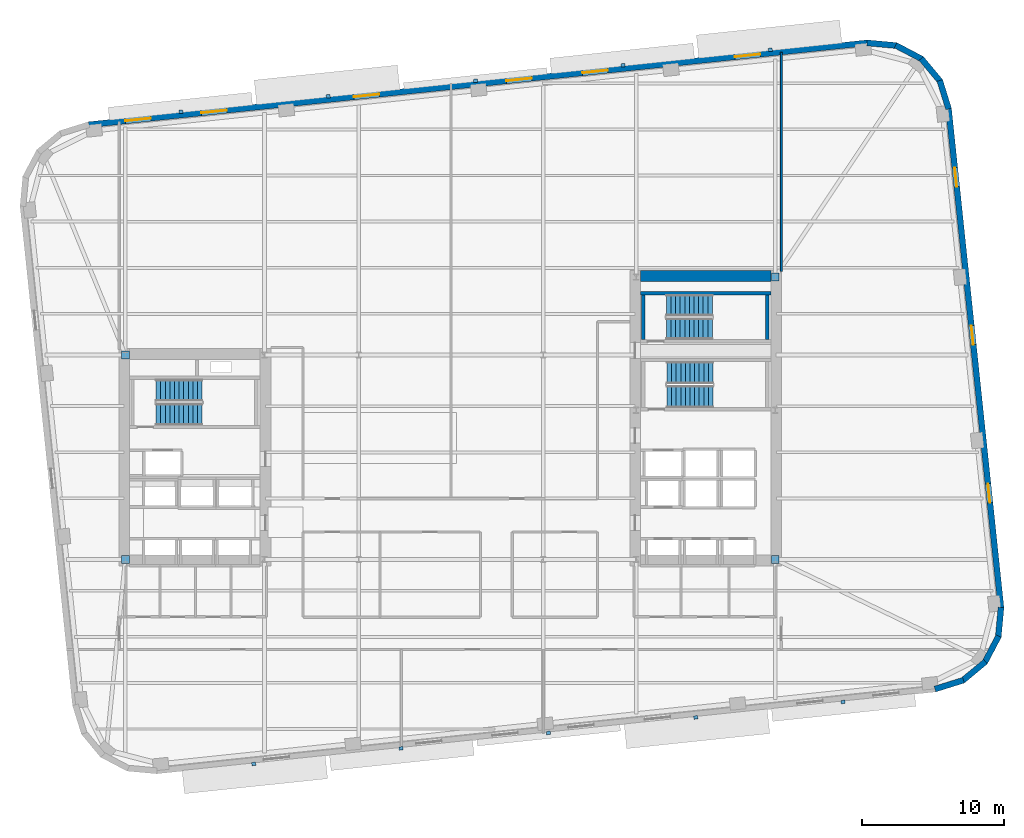
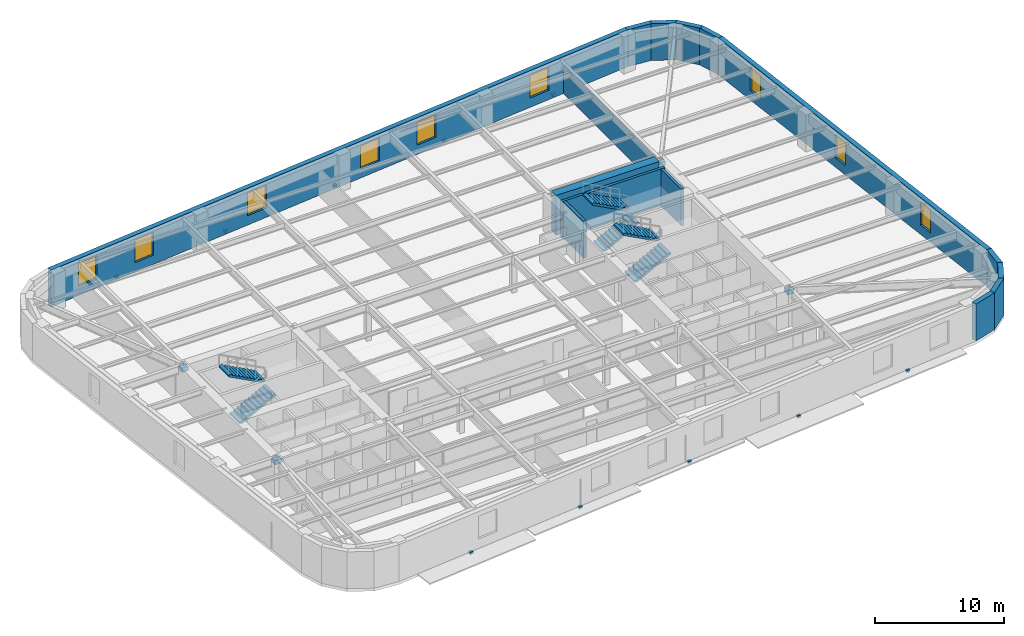
# One storey, part 7 of 12: 15 walls, 14 discrete accessories, 9 windows, 6 stair flights, 9 openings, 3 elements without a shape of their own.
"""IFC4 building model written with IfcOpenShell, lengths in metres."""

from ifc_helpers import new_model, si_unit, direction, frame, frame_2d, origin, origin_2d, place, context, subcontext, project, spatial, polyline, rectangle, outline, extrude, material, layer, layer_set, type_object, element, fill, aggregate, save


model = new_model("IFC4")

# Units and contexts
model_context = context("Model", 3, precision=1e-05, world=origin(), true_north=direction((0.0, 1.0)))
body_context = subcontext(model_context, "Body", "Model", "MODEL_VIEW")
ifc_project = project(units=[si_unit("LENGTHUNIT", "METRE"), si_unit("AREAUNIT", "SQUARE_METRE"), si_unit("VOLUMEUNIT", "CUBIC_METRE"), si_unit("PLANEANGLEUNIT", "RADIAN"), si_unit("MASSUNIT", "GRAM", prefix="KILO")], contexts=[model_context])

# Site, building, storey
site_placement = place(None, origin())
site = spatial("IfcSite", under=ifc_project, at=site_placement, CompositionType="ELEMENT")
building_placement = place(site_placement, origin())
building = spatial("IfcBuilding", under=site, at=building_placement, Name="Kolvaren Arena Tower", CompositionType="ELEMENT")
storey_placement = place(building_placement, frame((0.0, 0.0, 110.949951171875)))
storey = spatial("IfcBuildingStorey", under=building, at=storey_placement, Name="L25", CompositionType="ELEMENT", Elevation=110.949951171875)

# Walls
ifc_material_1 = material(Name="Concrete 70 MPa", Category="concrete")
ifc_layer_1 = layer(ifc_material_1, 0.75)
ifc_layer_set_1 = layer_set([ifc_layer_1], Name="Concrete 70 MPa")
wall_type_1 = type_object("IfcWallType", Name="CWALL-750", PredefinedType="SHEAR", material=ifc_layer_set_1)
wall_1_placement = place(storey_placement, frame((50.85009765625, 39.425048828125, -0.27001953125), z_axis=(0.0, 0.0, 1.0), x_axis=(1.0, 0.0, 0.0)))
element("IfcWall", 1, at=wall_1_placement, inside=storey, type_object=wall_type_1, Name="Core Shear Wall EC-NORTH (L25)", PredefinedType="SHEAR", context=body_context, shape_type="SweptSolid", body=[
    extrude(rectangle(XDim=9.199951171875, YDim=0.75, at=frame_2d((4.60009765625, 0.0))), origin(), (0.0, 0.0, 1.0), 3.75),
])
ifc_material_2 = material(Name="Precast concrete C50/60", Category="concrete")
ifc_layer_2 = layer(ifc_material_2, 0.419921875)
ifc_layer_set_2 = layer_set([ifc_layer_2], Name="Precast concrete C50/60")
wall_type_2 = type_object("IfcWallType", Name="EXT-PIER1", PredefinedType="SOLIDWALL", material=ifc_layer_set_2)
for number, where, z_axis, x_axis, name in (
    (2, (73.61328125, 10.93701171875, 0.0), (0.0, 0.0, 1.0), (-0.954993985335, -0.296625164093, 0.0), "Exterior Precast Masonry-Frame Wall (L25)"),
    (3, (75.1611328125, 12.2451171875, 0.0), (0.0, 0.0, 1.0), (-0.768800317178, -0.639488914921, 0.0), "Exterior Precast Masonry-Frame Wall (L25)"),
):
    element("IfcWall", number, at=place(storey_placement, frame(where, z_axis=z_axis, x_axis=x_axis)), inside=storey, type_object=wall_type_2, Name=name, PredefinedType="SOLIDWALL", context=body_context, shape_type="SweptSolid", body=[
        extrude(rectangle(XDim=2.10693359375, YDim=0.419921875, at=frame_2d((1.053466796875, 0.0))), origin(), (0.0, 0.0, 1.0), 3.47998046875),
    ])
wall_2_placement = place(storey_placement, frame((76.0908203125, 14.046142578125, 0.0), z_axis=(0.0, 0.0, 1.0), x_axis=(-0.465655699908, -0.884965970613, 0.0)))
element("IfcWall", 4, at=wall_2_placement, inside=storey, type_object=wall_type_2, Name="Exterior Precast Masonry-Frame Wall (L25)", PredefinedType="SOLIDWALL", context=body_context, shape_type="SweptSolid", body=[
    extrude(rectangle(XDim=2.107177734375, YDim=0.419921875, at=frame_2d((1.0537109375, 0.0))), origin(), (0.0, 0.0, 1.0), 3.47998046875),
])
wall_3_placement = place(storey_placement, frame((76.26025390625, 16.065673828125, 0.0), z_axis=(0.0, 0.0, 1.0), x_axis=(-0.091538655308, -0.995801523691, 0.0)))
element("IfcWall", 5, at=wall_3_placement, inside=storey, type_object=wall_type_2, Name="Exterior Precast Masonry-Frame Wall (L25)", PredefinedType="SOLIDWALL", context=body_context, shape_type="SweptSolid", body=[
    extrude(rectangle(XDim=2.10693359375, YDim=0.419921875, at=frame_2d((1.053466796875, 0.0))), origin(), (0.0, 0.0, 1.0), 3.47998046875),
])

# Wall, openings, windows
wall_4_placement = place(storey_placement, frame((72.560302734375, 51.23046875, 0.0), z_axis=(0.0, 0.0, 1.0), x_axis=(0.1045253859, -0.994522218808, 0.0)))
wall_4 = element("IfcWall", 6, at=wall_4_placement, inside=storey, type_object=wall_type_2, Name="Exterior Precast Masonry-Frame Wall (L25)", PredefinedType="SOLIDWALL", context=body_context, shape_type="SweptSolid", body=[
    extrude(rectangle(XDim=35.39990234375, YDim=0.419921875, at=frame_2d((17.699951171875, 0.0))), origin(), (0.0, 0.0, 1.0), 3.47998046875),
])
opening_1_placement = place(wall_4_placement, frame((4.199951171875, 0.0, 0.8798828125)))
opening_1 = element("IfcOpeningElement", 7, at=opening_1_placement, cuts=wall_4, Name="Opening W04", PredefinedType="OPENING", context=body_context, shape_type="SweptSolid", body=[
    extrude(rectangle(XDim=1.35009765625, YDim=2.199951171875, at=frame_2d((0.675048828125, 1.10009765625))), frame((0.0, 0.219970703125, 0.0), z_axis=(0.0, -1.0, 0.0), x_axis=(1.0, 0.0, 0.0)), (0.0, 0.0, 1.0), 0.43994140625),
])
opening_2_placement = place(wall_4_placement, frame((15.39990234375, 0.0, 0.8798828125)))
opening_2 = element("IfcOpeningElement", 8, at=opening_2_placement, cuts=wall_4, Name="Opening W04", PredefinedType="OPENING", context=body_context, shape_type="SweptSolid", body=[
    extrude(rectangle(XDim=1.35009765625, YDim=2.199951171875, at=frame_2d((0.675048828125, 1.10009765625))), frame((0.0, 0.219970703125, 0.0), z_axis=(0.0, -1.0, 0.0), x_axis=(1.0, 0.0, 0.0)), (0.0, 0.0, 1.0), 0.43994140625),
])
opening_3_placement = place(wall_4_placement, frame((26.60009765625, 0.0, 0.8798828125)))
opening_3 = element("IfcOpeningElement", 9, at=opening_3_placement, cuts=wall_4, Name="Opening W04", PredefinedType="OPENING", context=body_context, shape_type="SweptSolid", body=[
    extrude(rectangle(XDim=1.35009765625, YDim=2.199951171875, at=frame_2d((0.675048828125, 1.10009765625))), frame((0.0, 0.219970703125, 0.0), z_axis=(0.0, -1.0, 0.0), x_axis=(1.0, 0.0, 0.0)), (0.0, 0.0, 1.0), 0.43994140625),
])
ifc_material_3 = material(Name="Triple-glazed curved-facet corner window", Category="glass")
window_type_1 = type_object("IfcWindowType", Name="WIN-CRN-A", PartitioningType="SINGLE_PANEL", PredefinedType="WINDOW", material=ifc_material_3)
window_1_placement = place(opening_1_placement, origin())
window_1 = element("IfcWindow", 10, at=window_1_placement, inside=storey, type_object=window_type_1, Name="End-Wall Punched Window (L25)", OverallHeight=2.199951171875, OverallWidth=1.35009765625, PartitioningType="SINGLE_PANEL", PredefinedType="WINDOW", context=body_context, shape_type="SweptSolid", body=[
    extrude(rectangle(XDim=1.35009765625, YDim=2.199951171875, at=frame_2d((0.675048828125, 1.10009765625))), frame((0.0, 0.030029296875, 0.0), z_axis=(0.0, -1.0, 0.0), x_axis=(1.0, 0.0, 0.0)), (0.0, 0.0, 1.0), 0.06005859375),
])
fill(opening_1, window_1)
window_2_placement = place(opening_2_placement, origin())
window_2 = element("IfcWindow", 11, at=window_2_placement, inside=storey, type_object=window_type_1, Name="End-Wall Punched Window (L25)", OverallHeight=2.199951171875, OverallWidth=1.35009765625, PartitioningType="SINGLE_PANEL", PredefinedType="WINDOW", context=body_context, shape_type="SweptSolid", body=[
    extrude(rectangle(XDim=1.35009765625, YDim=2.199951171875, at=frame_2d((0.675048828125, 1.10009765625))), frame((0.0, 0.030029296875, 0.0), z_axis=(0.0, -1.0, 0.0), x_axis=(1.0, 0.0, 0.0)), (0.0, 0.0, 1.0), 0.06005859375),
])
fill(opening_2, window_2)
window_3_placement = place(opening_3_placement, origin())
window_3 = element("IfcWindow", 12, at=window_3_placement, inside=storey, type_object=window_type_1, Name="End-Wall Punched Window (L25)", OverallHeight=2.199951171875, OverallWidth=1.35009765625, PartitioningType="SINGLE_PANEL", PredefinedType="WINDOW", context=body_context, shape_type="SweptSolid", body=[
    extrude(rectangle(XDim=1.35009765625, YDim=2.199951171875, at=frame_2d((0.675048828125, 1.10009765625))), frame((0.0, 0.030029296875, 0.0), z_axis=(0.0, -1.0, 0.0), x_axis=(1.0, 0.0, 0.0)), (0.0, 0.0, 1.0), 0.06005859375),
])
fill(opening_3, window_3)

# Walls
for number, where, z_axis, x_axis, name in (
    (13, (71.943603515625, 53.202392578125, 0.0), (0.0, 0.0, 1.0), (0.296625164093, -0.954993985335, 0.0), "Exterior Precast Masonry-Frame Wall (L25)"),
    (14, (70.635498046875, 54.750244140625, 0.0), (0.0, 0.0, 1.0), (0.639488914921, -0.768800317178, 0.0), "Exterior Precast Masonry-Frame Wall (L25)"),
    (15, (68.83447265625, 55.6796875, 0.0), (0.0, 0.0, 1.0), (0.885013714693, -0.465564952296, 0.0), "Exterior Precast Masonry-Frame Wall (L25)"),
    (16, (66.81494140625, 55.849365234375, 0.0), (0.0, 0.0, 1.0), (0.995801523691, -0.091538655308, 0.0), "Exterior Precast Masonry-Frame Wall (L25)"),
):
    element("IfcWall", number, at=place(storey_placement, frame(where, z_axis=z_axis, x_axis=x_axis)), inside=storey, type_object=wall_type_2, Name=name, PredefinedType="SOLIDWALL", context=body_context, shape_type="SweptSolid", body=[
        extrude(rectangle(XDim=2.10693359375, YDim=0.419921875, at=frame_2d((1.053466796875, 0.0))), origin(), (0.0, 0.0, 1.0), 3.47998046875),
    ])

# Wall, openings, windows
wall_5_placement = place(storey_placement, frame((11.95849609375, 50.07958984375, 0.0), z_axis=(0.0, 0.0, 1.0), x_axis=(0.994521823388, 0.104529148113, 0.0)))
wall_5 = element("IfcWall", 17, at=wall_5_placement, inside=storey, type_object=wall_type_2, Name="Exterior Precast Masonry-Frame Wall (L25)", PredefinedType="SOLIDWALL", context=body_context, shape_type="SweptSolid", body=[
    extrude(rectangle(XDim=55.2001953125, YDim=0.419921875, at=frame_2d((27.60009765625, 0.0))), origin(), (0.0, 0.0, 1.0), 3.47998046875),
])
opening_4_placement = place(wall_5_placement, frame((2.60009765625, 0.0, 0.8798828125)))
opening_4 = element("IfcOpeningElement", 18, at=opening_4_placement, cuts=wall_5, Name="Opening W02", PredefinedType="OPENING", context=body_context, shape_type="SweptSolid", body=[
    extrude(rectangle(XDim=1.800048828125, YDim=2.14990234375, at=frame_2d((0.89990234375, 1.074951171875))), frame((0.0, 0.219970703125, 0.0), z_axis=(0.0, -1.0, 0.0), x_axis=(1.0, 0.0, 0.0)), (0.0, 0.0, 1.0), 0.43994140625),
])
opening_5_placement = place(wall_5_placement, frame((8.0, 0.0, 0.8798828125)))
opening_5 = element("IfcOpeningElement", 19, at=opening_5_placement, cuts=wall_5, Name="Opening W02", PredefinedType="OPENING", context=body_context, shape_type="SweptSolid", body=[
    extrude(rectangle(XDim=1.800048828125, YDim=2.14990234375, at=frame_2d((0.89990234375, 1.074951171875))), frame((0.0, 0.219970703125, 0.0), z_axis=(0.0, -1.0, 0.0), x_axis=(1.0, 0.0, 0.0)), (0.0, 0.0, 1.0), 0.43994140625),
])
opening_6_placement = place(wall_5_placement, frame((18.800048828125, 0.0, 0.8798828125)))
opening_6 = element("IfcOpeningElement", 20, at=opening_6_placement, cuts=wall_5, Name="Opening W02", PredefinedType="OPENING", context=body_context, shape_type="SweptSolid", body=[
    extrude(rectangle(XDim=1.800048828125, YDim=2.14990234375, at=frame_2d((0.89990234375, 1.074951171875))), frame((0.0, 0.219970703125, 0.0), z_axis=(0.0, -1.0, 0.0), x_axis=(1.0, 0.0, 0.0)), (0.0, 0.0, 1.0), 0.43994140625),
])
opening_7_placement = place(wall_5_placement, frame((29.60009765625, 0.0, 0.8798828125)))
opening_7 = element("IfcOpeningElement", 21, at=opening_7_placement, cuts=wall_5, Name="Opening W02", PredefinedType="OPENING", context=body_context, shape_type="SweptSolid", body=[
    extrude(rectangle(XDim=1.800048828125, YDim=2.14990234375, at=frame_2d((0.89990234375, 1.074951171875))), frame((0.0, 0.219970703125, 0.0), z_axis=(0.0, -1.0, 0.0), x_axis=(1.0, 0.0, 0.0)), (0.0, 0.0, 1.0), 0.43994140625),
])
opening_8_placement = place(wall_5_placement, frame((35.0, 0.0, 0.8798828125)))
opening_8 = element("IfcOpeningElement", 22, at=opening_8_placement, cuts=wall_5, Name="Opening W02", PredefinedType="OPENING", context=body_context, shape_type="SweptSolid", body=[
    extrude(rectangle(XDim=1.800048828125, YDim=2.14990234375, at=frame_2d((0.89990234375, 1.074951171875))), frame((0.0, 0.219970703125, 0.0), z_axis=(0.0, -1.0, 0.0), x_axis=(1.0, 0.0, 0.0)), (0.0, 0.0, 1.0), 0.43994140625),
])
opening_9_placement = place(wall_5_placement, frame((45.800048828125, 0.0, 0.8798828125)))
opening_9 = element("IfcOpeningElement", 23, at=opening_9_placement, cuts=wall_5, Name="Opening W02", PredefinedType="OPENING", context=body_context, shape_type="SweptSolid", body=[
    extrude(rectangle(XDim=1.800048828125, YDim=2.14990234375, at=frame_2d((0.89990234375, 1.074951171875))), frame((0.0, 0.219970703125, 0.0), z_axis=(0.0, -1.0, 0.0), x_axis=(1.0, 0.0, 0.0)), (0.0, 0.0, 1.0), 0.43994140625),
])
ifc_material_4 = material(Name="Triple-glazed low-E aluminium window", Category="aluminium")
window_type_2 = type_object("IfcWindowType", Name="WIN-OFF-B", PartitioningType="DOUBLE_PANEL_VERTICAL", PredefinedType="WINDOW", material=ifc_material_4)
window_4_placement = place(opening_4_placement, origin())
window_4 = element("IfcWindow", 24, at=window_4_placement, inside=storey, type_object=window_type_2, Name="Punched Precast-Pier Window (L25)", OverallHeight=2.14990234375, OverallWidth=1.800048828125, PartitioningType="DOUBLE_PANEL_VERTICAL", PredefinedType="WINDOW", context=body_context, shape_type="SweptSolid", body=[
    extrude(rectangle(XDim=1.800048828125, YDim=2.14990234375, at=frame_2d((0.89990234375, 1.074951171875))), frame((0.0, 0.030029296875, 0.0), z_axis=(0.0, -1.0, 0.0), x_axis=(1.0, 0.0, 0.0)), (0.0, 0.0, 1.0), 0.06005859375),
])
fill(opening_4, window_4)
window_5_placement = place(opening_5_placement, origin())
window_5 = element("IfcWindow", 25, at=window_5_placement, inside=storey, type_object=window_type_2, Name="Punched Precast-Pier Window (L25)", OverallHeight=2.14990234375, OverallWidth=1.800048828125, PartitioningType="DOUBLE_PANEL_VERTICAL", PredefinedType="WINDOW", context=body_context, shape_type="SweptSolid", body=[
    extrude(rectangle(XDim=1.800048828125, YDim=2.14990234375, at=frame_2d((0.89990234375, 1.074951171875))), frame((0.0, 0.030029296875, 0.0), z_axis=(0.0, -1.0, 0.0), x_axis=(1.0, 0.0, 0.0)), (0.0, 0.0, 1.0), 0.06005859375),
])
fill(opening_5, window_5)
window_6_placement = place(opening_6_placement, origin())
window_6 = element("IfcWindow", 26, at=window_6_placement, inside=storey, type_object=window_type_2, Name="Punched Precast-Pier Window (L25)", OverallHeight=2.14990234375, OverallWidth=1.800048828125, PartitioningType="DOUBLE_PANEL_VERTICAL", PredefinedType="WINDOW", context=body_context, shape_type="SweptSolid", body=[
    extrude(rectangle(XDim=1.800048828125, YDim=2.14990234375, at=frame_2d((0.89990234375, 1.074951171875))), frame((0.0, 0.030029296875, 0.0), z_axis=(0.0, -1.0, 0.0), x_axis=(1.0, 0.0, 0.0)), (0.0, 0.0, 1.0), 0.06005859375),
])
fill(opening_6, window_6)
window_7_placement = place(opening_7_placement, origin())
window_7 = element("IfcWindow", 27, at=window_7_placement, inside=storey, type_object=window_type_2, Name="Punched Precast-Pier Window (L25)", OverallHeight=2.14990234375, OverallWidth=1.800048828125, PartitioningType="DOUBLE_PANEL_VERTICAL", PredefinedType="WINDOW", context=body_context, shape_type="SweptSolid", body=[
    extrude(rectangle(XDim=1.800048828125, YDim=2.14990234375, at=frame_2d((0.89990234375, 1.074951171875))), frame((0.0, 0.030029296875, 0.0), z_axis=(0.0, -1.0, 0.0), x_axis=(1.0, 0.0, 0.0)), (0.0, 0.0, 1.0), 0.06005859375),
])
fill(opening_7, window_7)
window_8_placement = place(opening_8_placement, origin())
window_8 = element("IfcWindow", 28, at=window_8_placement, inside=storey, type_object=window_type_2, Name="Punched Precast-Pier Window (L25)", OverallHeight=2.14990234375, OverallWidth=1.800048828125, PartitioningType="DOUBLE_PANEL_VERTICAL", PredefinedType="WINDOW", context=body_context, shape_type="SweptSolid", body=[
    extrude(rectangle(XDim=1.800048828125, YDim=2.14990234375, at=frame_2d((0.89990234375, 1.074951171875))), frame((0.0, 0.030029296875, 0.0), z_axis=(0.0, -1.0, 0.0), x_axis=(1.0, 0.0, 0.0)), (0.0, 0.0, 1.0), 0.06005859375),
])
fill(opening_8, window_8)
window_9_placement = place(opening_9_placement, origin())
window_9 = element("IfcWindow", 29, at=window_9_placement, inside=storey, type_object=window_type_2, Name="Punched Precast-Pier Window (L25)", OverallHeight=2.14990234375, OverallWidth=1.800048828125, PartitioningType="DOUBLE_PANEL_VERTICAL", PredefinedType="WINDOW", context=body_context, shape_type="SweptSolid", body=[
    extrude(rectangle(XDim=1.800048828125, YDim=2.14990234375, at=frame_2d((0.89990234375, 1.074951171875))), frame((0.0, 0.030029296875, 0.0), z_axis=(0.0, -1.0, 0.0), x_axis=(1.0, 0.0, 0.0)), (0.0, 0.0, 1.0), 0.06005859375),
])
fill(opening_9, window_9)

# Walls
ifc_material_5 = material(Name="Gypsum board partition assembly", Category="gypsum")
ifc_layer_3 = layer(ifc_material_5, 0.135009765625)
ifc_layer_set_3 = layer_set([ifc_layer_3], Name="Gypsum board partition assembly")
wall_type_3 = type_object("IfcWallType", Name="PART-135", PredefinedType="PARTITIONING", material=ifc_layer_set_3)
wall_6_placement = place(storey_placement, frame((60.780029296875, 39.75, 0.0), z_axis=(0.0, 0.0, 1.0), x_axis=(0.0, 1.0, 0.0)))
element("IfcWall", 30, at=wall_6_placement, inside=storey, type_object=wall_type_3, Name="Interior Partition Wall (L25)", PredefinedType="PARTITIONING", context=body_context, shape_type="SweptSolid", body=[
    extrude(rectangle(XDim=15.430908203125, YDim=0.135009765625, at=frame_2d((7.71533203125, 0.0))), origin(), (0.0, 0.0, 1.0), 2.5400390625),
])
ifc_material_6 = material(Name="Concrete 45 MPa", Category="concrete")
ifc_layer_4 = layer(ifc_material_6, 0.25)
ifc_layer_set_4 = layer_set([ifc_layer_4], Name="Concrete 45 MPa")
wall_type_4 = type_object("IfcWallType", Name="SHAFT-250", PredefinedType="SOLIDWALL", material=ifc_layer_set_4)
wall_7_placement = place(storey_placement, frame((50.85009765625, 38.219970703125, 0.0), z_axis=(0.0, 0.0, 1.0), x_axis=(1.0, 0.0, 0.0)))
element("IfcWall", 31, at=wall_7_placement, inside=storey, type_object=wall_type_4, Name="Core Shaft Wall (L25)", PredefinedType="SOLIDWALL", context=body_context, shape_type="SweptSolid", body=[
    extrude(rectangle(XDim=9.199951171875, YDim=0.239990234375, at=frame_2d((4.60009765625, 0.0))), origin(), (0.0, 0.0, 1.0), 3.47998046875),
])
for number, where, z_axis, x_axis, name in (
    (32, (51.06005859375, 34.949951171875, 0.0), (0.0, 0.0, 1.0), (0.0, 1.0, 0.0), "Core Shaft Wall (L25)"),
    (33, (59.780029296875, 34.949951171875, 0.0), (0.0, 0.0, 1.0), (0.0, 1.0, 0.0), "Core Shaft Wall (L25)"),
):
    element("IfcWall", number, at=place(storey_placement, frame(where, z_axis=z_axis, x_axis=x_axis)), inside=storey, type_object=wall_type_4, Name=name, PredefinedType="SOLIDWALL", context=body_context, shape_type="SweptSolid", body=[
        extrude(rectangle(XDim=3.150146484375, YDim=0.239990234375, at=frame_2d((1.5751953125, 0.0))), origin(), (0.0, 0.0, 1.0), 3.47998046875),
    ])

# Stair, stair flights
stair_type_1 = type_object("IfcStairType", Name="STAIR-CORE-150", PredefinedType="HALF_TURN_STAIR", material=ifc_material_6)
stair_1_placement = place(storey_placement, origin())
stair_1 = element("IfcStair", 34, at=stair_1_placement, inside=storey, type_object=stair_type_1, Name="L25 ST-E2", PredefinedType="HALF_TURN_STAIR")
stair_flight_type_1 = type_object("IfcStairFlightType", Name="FLT-150", PredefinedType="STRAIGHT", material=ifc_material_6)
stair_flight_1_placement = place(storey_placement, frame((52.679931640625, 35.699951171875, 0.0), z_axis=(0.0, 0.0, 1.0), x_axis=(1.0, 0.0, 0.0)))
stair_flight_1 = element("IfcStairFlight", 35, at=stair_flight_1_placement, type_object=stair_flight_type_1, Name="ST-E2 flight 1", NumberOfRisers=11, NumberOfTreads=10, PredefinedType="STRAIGHT", RiserHeight=0.170454545, TreadLength=0.324, context=body_context, shape_type="SweptSolid", body=[
    extrude(outline(polyline([(0.0, 0.0), (0.0, 0.17041015625), (0.323974609375, 0.17041015625), (0.323974609375, 0.3408203125), (0.64794921875, 0.3408203125), (0.64794921875, 0.511474609375), (0.971923828125, 0.511474609375), (0.971923828125, 0.681884765625), (1.2958984375, 0.681884765625), (1.2958984375, 0.852294921875), (1.6201171875, 0.852294921875), (1.6201171875, 1.022705078125), (1.944091796875, 1.022705078125), (1.944091796875, 1.193115234375), (2.26806640625, 1.193115234375), (2.26806640625, 1.363525390625), (2.592041015625, 1.363525390625), (2.592041015625, 1.5341796875), (2.916015625, 1.5341796875), (2.916015625, 1.70458984375), (3.239990234375, 1.70458984375), (3.239990234375, 1.875), (3.239990234375, 1.53515625), (0.322021484375, 0.0), (0.0, 0.0)])), frame((0.0, 0.75, 0.0), z_axis=(0.0, -1.0, 0.0), x_axis=(1.0, 0.0, 0.0)), (0.0, 0.0, 1.0), 1.5),
])
stair_flight_2_placement = place(storey_placement, frame((55.919921875, 37.35009765625, 1.875), z_axis=(0.0, 0.0, 1.0), x_axis=(-1.0, 0.0, 0.0)))
stair_flight_2 = element("IfcStairFlight", 36, at=stair_flight_2_placement, type_object=stair_flight_type_1, Name="ST-E2 flight 2", NumberOfRisers=11, NumberOfTreads=10, PredefinedType="STRAIGHT", RiserHeight=0.170454545, TreadLength=0.324, context=body_context, shape_type="SweptSolid", body=[
    extrude(outline(polyline([(0.0, 0.0), (0.0, 0.17041015625), (0.323974609375, 0.17041015625), (0.323974609375, 0.3408203125), (0.64794921875, 0.3408203125), (0.64794921875, 0.511474609375), (0.971923828125, 0.511474609375), (0.971923828125, 0.681884765625), (1.2958984375, 0.681884765625), (1.2958984375, 0.852294921875), (1.6201171875, 0.852294921875), (1.6201171875, 1.022705078125), (1.944091796875, 1.022705078125), (1.944091796875, 1.193115234375), (2.26806640625, 1.193115234375), (2.26806640625, 1.363525390625), (2.592041015625, 1.363525390625), (2.592041015625, 1.5341796875), (2.916015625, 1.5341796875), (2.916015625, 1.70458984375), (3.239990234375, 1.70458984375), (3.239990234375, 1.875), (3.239990234375, 1.53515625), (0.322021484375, 0.0), (0.0, 0.0)])), frame((0.0, 0.75, 0.0), z_axis=(0.0, -1.0, 0.0), x_axis=(1.0, 0.0, 0.0)), (0.0, 0.0, 1.0), 1.5),
])
aggregate(stair_1, [stair_flight_1, stair_flight_2])

stair_type_2 = type_object("IfcStairType", Name="STAIR-CORE-165", PredefinedType="HALF_TURN_STAIR", material=ifc_material_6)
stair_2_placement = place(storey_placement, origin())
stair_2 = element("IfcStair", 37, at=stair_2_placement, inside=storey, type_object=stair_type_2, Name="L25 ST-W1", PredefinedType="HALF_TURN_STAIR")
stair_flight_type_2 = type_object("IfcStairFlightType", Name="FLT-165", PredefinedType="STRAIGHT", material=ifc_material_6)
stair_flight_3_placement = place(storey_placement, frame((16.719970703125, 29.669921875, 0.0), z_axis=(0.0, 0.0, 1.0), x_axis=(1.0, 0.0, 0.0)))
stair_flight_3 = element("IfcStairFlight", 38, at=stair_flight_3_placement, type_object=stair_flight_type_2, Name="ST-W1 flight 1", NumberOfRisers=11, NumberOfTreads=10, PredefinedType="STRAIGHT", RiserHeight=0.170454545, TreadLength=0.324, context=body_context, shape_type="SweptSolid", body=[
    extrude(outline(polyline([(0.0, 0.0), (0.0, 0.17041015625), (0.323974609375, 0.17041015625), (0.323974609375, 0.3408203125), (0.64794921875, 0.3408203125), (0.64794921875, 0.511474609375), (0.971923828125, 0.511474609375), (0.971923828125, 0.681884765625), (1.2958984375, 0.681884765625), (1.2958984375, 0.852294921875), (1.6201171875, 0.852294921875), (1.6201171875, 1.022705078125), (1.944091796875, 1.022705078125), (1.944091796875, 1.193115234375), (2.26806640625, 1.193115234375), (2.26806640625, 1.363525390625), (2.592041015625, 1.363525390625), (2.592041015625, 1.5341796875), (2.916015625, 1.5341796875), (2.916015625, 1.70458984375), (3.239990234375, 1.70458984375), (3.239990234375, 1.875), (3.239990234375, 1.53515625), (0.322021484375, 0.0), (0.0, 0.0)])), frame((0.0, 0.77001953125, 0.0), z_axis=(0.0, -1.0, 0.0), x_axis=(1.0, 0.0, 0.0)), (0.0, 0.0, 1.0), 1.5400390625),
])
stair_flight_4_placement = place(storey_placement, frame((19.9599609375, 31.360107421875, 1.875), z_axis=(0.0, 0.0, 1.0), x_axis=(-1.0, 0.0, 0.0)))
stair_flight_4 = element("IfcStairFlight", 39, at=stair_flight_4_placement, type_object=stair_flight_type_2, Name="ST-W1 flight 2", NumberOfRisers=11, NumberOfTreads=10, PredefinedType="STRAIGHT", RiserHeight=0.170454545, TreadLength=0.324, context=body_context, shape_type="SweptSolid", body=[
    extrude(outline(polyline([(0.0, 0.0), (0.0, 0.17041015625), (0.323974609375, 0.17041015625), (0.323974609375, 0.3408203125), (0.64794921875, 0.3408203125), (0.64794921875, 0.511474609375), (0.971923828125, 0.511474609375), (0.971923828125, 0.681884765625), (1.2958984375, 0.681884765625), (1.2958984375, 0.852294921875), (1.6201171875, 0.852294921875), (1.6201171875, 1.022705078125), (1.944091796875, 1.022705078125), (1.944091796875, 1.193115234375), (2.26806640625, 1.193115234375), (2.26806640625, 1.363525390625), (2.592041015625, 1.363525390625), (2.592041015625, 1.5341796875), (2.916015625, 1.5341796875), (2.916015625, 1.70458984375), (3.239990234375, 1.70458984375), (3.239990234375, 1.875), (3.239990234375, 1.53515625), (0.322021484375, 0.0), (0.0, 0.0)])), frame((0.0, 0.77001953125, 0.0), z_axis=(0.0, -1.0, 0.0), x_axis=(1.0, 0.0, 0.0)), (0.0, 0.0, 1.0), 1.5400390625),
])
aggregate(stair_2, [stair_flight_3, stair_flight_4])

stair_3_placement = place(storey_placement, origin())
stair_3 = element("IfcStair", 40, at=stair_3_placement, inside=storey, type_object=stair_type_2, Name="L25 ST-E1", PredefinedType="HALF_TURN_STAIR")
stair_flight_5_placement = place(storey_placement, frame((52.719970703125, 30.919921875, 0.0), z_axis=(0.0, 0.0, 1.0), x_axis=(1.0, 0.0, 0.0)))
stair_flight_5 = element("IfcStairFlight", 41, at=stair_flight_5_placement, type_object=stair_flight_type_2, Name="ST-E1 flight 1", NumberOfRisers=11, NumberOfTreads=10, PredefinedType="STRAIGHT", RiserHeight=0.170454545, TreadLength=0.324, context=body_context, shape_type="SweptSolid", body=[
    extrude(outline(polyline([(0.0, 0.0), (0.0, 0.17041015625), (0.323974609375, 0.17041015625), (0.323974609375, 0.3408203125), (0.64794921875, 0.3408203125), (0.64794921875, 0.511474609375), (0.971923828125, 0.511474609375), (0.971923828125, 0.681884765625), (1.2958984375, 0.681884765625), (1.2958984375, 0.852294921875), (1.6201171875, 0.852294921875), (1.6201171875, 1.022705078125), (1.944091796875, 1.022705078125), (1.944091796875, 1.193115234375), (2.26806640625, 1.193115234375), (2.26806640625, 1.363525390625), (2.592041015625, 1.363525390625), (2.592041015625, 1.5341796875), (2.916015625, 1.5341796875), (2.916015625, 1.70458984375), (3.239990234375, 1.70458984375), (3.239990234375, 1.875), (3.239990234375, 1.53515625), (0.322021484375, 0.0), (0.0, 0.0)])), frame((0.0, 0.77001953125, 0.0), z_axis=(0.0, -1.0, 0.0), x_axis=(1.0, 0.0, 0.0)), (0.0, 0.0, 1.0), 1.5400390625),
])
stair_flight_6_placement = place(storey_placement, frame((55.9599609375, 32.610107421875, 1.875), z_axis=(0.0, 0.0, 1.0), x_axis=(-1.0, 0.0, 0.0)))
stair_flight_6 = element("IfcStairFlight", 42, at=stair_flight_6_placement, type_object=stair_flight_type_2, Name="ST-E1 flight 2", NumberOfRisers=11, NumberOfTreads=10, PredefinedType="STRAIGHT", RiserHeight=0.170454545, TreadLength=0.324, context=body_context, shape_type="SweptSolid", body=[
    extrude(outline(polyline([(0.0, 0.0), (0.0, 0.17041015625), (0.323974609375, 0.17041015625), (0.323974609375, 0.3408203125), (0.64794921875, 0.3408203125), (0.64794921875, 0.511474609375), (0.971923828125, 0.511474609375), (0.971923828125, 0.681884765625), (1.2958984375, 0.681884765625), (1.2958984375, 0.852294921875), (1.6201171875, 0.852294921875), (1.6201171875, 1.022705078125), (1.944091796875, 1.022705078125), (1.944091796875, 1.193115234375), (2.26806640625, 1.193115234375), (2.26806640625, 1.363525390625), (2.592041015625, 1.363525390625), (2.592041015625, 1.5341796875), (2.916015625, 1.5341796875), (2.916015625, 1.70458984375), (3.239990234375, 1.70458984375), (3.239990234375, 1.875), (3.239990234375, 1.53515625), (0.322021484375, 0.0), (0.0, 0.0)])), frame((0.0, 0.77001953125, 0.0), z_axis=(0.0, -1.0, 0.0), x_axis=(1.0, 0.0, 0.0)), (0.0, 0.0, 1.0), 1.5400390625),
])
aggregate(stair_3, [stair_flight_5, stair_flight_6])

# Discrete accessories
ifc_material_7 = material(Name="Stainless steel facade support bracket", Category="steel")
discrete_accessory_type_1 = type_object("IfcDiscreteAccessoryType", Name="ACC-BRKT-1", PredefinedType="BRACKET", material=ifc_material_7)
for number, where, z_axis, x_axis, name in (
    (43, (18.468505859375, 50.9951171875, -0.18017578125), (0.0, 0.0, 1.0), (0.994522077803, 0.104526727499, 0.0), "Sunshade Support Bracket (L25)"),
    (44, (28.851318359375, 52.08642578125, -0.18017578125), (0.0, 0.0, 1.0), (0.994522077803, 0.104526727499, 0.0), "Sunshade Support Bracket (L25)"),
    (45, (39.234130859375, 53.177734375, -0.18017578125), (0.0, 0.0, 1.0), (0.994522077803, 0.104526727499, 0.0), "Sunshade Support Bracket (L25)"),
    (46, (49.616943359375, 54.268798828125, -0.18017578125), (0.0, 0.0, 1.0), (0.994522077803, 0.104526727499, 0.0), "Sunshade Support Bracket (L25)"),
    (47, (59.999755859375, 55.360107421875, -0.18017578125), (0.0, 0.0, 1.0), (0.994522077803, 0.104526727499, 0.0), "Sunshade Support Bracket (L25)"),
    (48, (65.131591796875, 9.40478515625, -0.18017578125), (0.0, 0.0, 1.0), (-0.994522077803, -0.104526727499, 0.0), "Sunshade Support Bracket (L25)"),
    (49, (54.748779296875, 8.313720703125, -0.18017578125), (0.0, 0.0, 1.0), (-0.994522077803, -0.104526727499, 0.0), "Sunshade Support Bracket (L25)"),
    (50, (44.365966796875, 7.222412109375, -0.18017578125), (0.0, 0.0, 1.0), (-0.994522077803, -0.104526727499, 0.0), "Sunshade Support Bracket (L25)"),
    (51, (33.983154296875, 6.131103515625, -0.18017578125), (0.0, 0.0, 1.0), (-0.994522077803, -0.104526727499, 0.0), "Sunshade Support Bracket (L25)"),
    (52, (23.600341796875, 5.039794921875, -0.18017578125), (0.0, 0.0, 1.0), (-0.994522077803, -0.104526727499, 0.0), "Sunshade Support Bracket (L25)"),
):
    element("IfcDiscreteAccessory", number, at=place(storey_placement, frame(where, z_axis=z_axis, x_axis=x_axis)), inside=storey, type_object=discrete_accessory_type_1, Name=name, PredefinedType="BRACKET", context=body_context, shape_type="SweptSolid", body=[
        extrude(rectangle(XDim=0.280029296875, YDim=0.239990234375, at=origin_2d()), origin(), (0.0, 0.0, 1.0), 0.239990234375),
    ])
ifc_material_8 = material(Name="Steel CSA G40.21 350W bolted gusset connection", Category="steel")
discrete_accessory_type_2 = type_object("IfcDiscreteAccessoryType", Name="ACC-CONN-1", PredefinedType="BRACKET", material=ifc_material_8)
for number, where, z_axis, x_axis, name in (
    (53, (60.35009765625, 19.449951171875, 2.87353515625), (0.0, 0.0, 1.0), (1.0, 0.0, 0.0), "Core Wall Cast-In Embed Plate EP1 (L25)"),
    (54, (60.35009765625, 39.35009765625, 2.87353515625), (0.0, 0.0, 1.0), (1.0, 0.0, 0.0), "Core Wall Cast-In Embed Plate EP1 (L25)"),
    (55, (14.550048828125, 33.85009765625, 2.87353515625), (0.0, 0.0, 1.0), (1.0, 0.0, 0.0), "Core Wall Cast-In Embed Plate EP1 (L25)"),
    (56, (14.550048828125, 19.449951171875, 2.87353515625), (0.0, 0.0, 1.0), (1.0, 0.0, 0.0), "Core Wall Cast-In Embed Plate EP1 (L25)"),
):
    element("IfcDiscreteAccessory", number, at=place(storey_placement, frame(where, z_axis=z_axis, x_axis=x_axis)), inside=storey, type_object=discrete_accessory_type_2, Name=name, PredefinedType="BRACKET", context=body_context, shape_type="SweptSolid", body=[
        extrude(rectangle(XDim=0.56005859375, YDim=0.56005859375, at=origin_2d()), origin(), (0.0, 0.0, 1.0), 0.43994140625),
    ])

save(model, "model.ifc")
